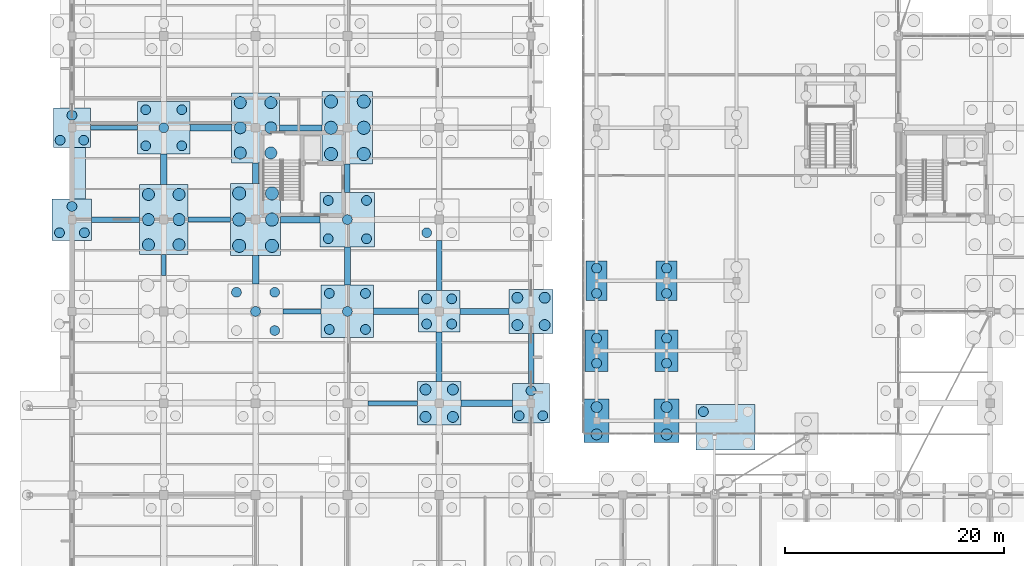
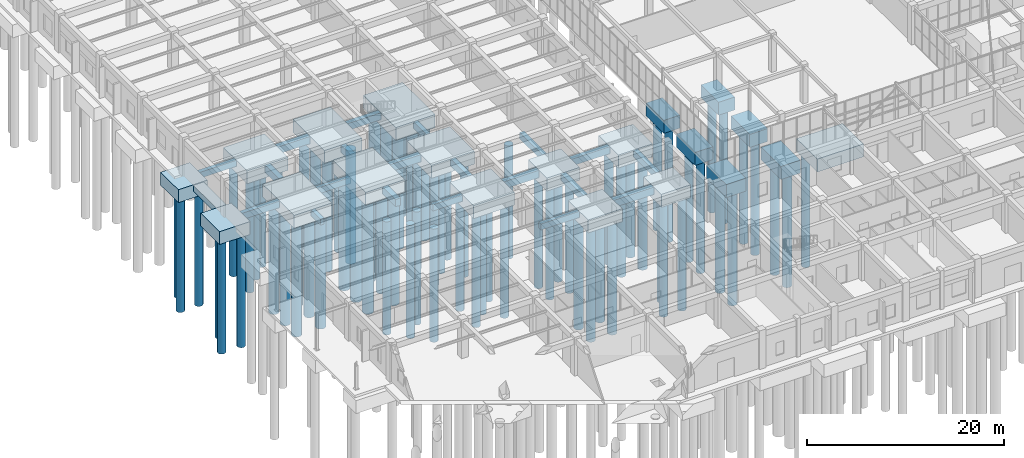
# One storey, part 3 of 192: 78 piles, 41 footings.
"""IFC4 building model written with IfcOpenShell, lengths in metres."""

from ifc_helpers import new_model, si_unit, direction, frame, origin, origin_2d, place, context, subcontext, project, spatial, rectangle, circle, extrude, material, layer, layer_set, material_profile, profile_set, type_object, element, save


model = new_model("IFC4")

# Units and contexts
model_context = context("Model", 3, precision=1e-05, world=origin(), true_north=direction((0.0, 1.0)))
body_context = subcontext(model_context, "Body", "Model", "MODEL_VIEW")
ifc_project = project(units=[si_unit("LENGTHUNIT", "METRE"), si_unit("AREAUNIT", "SQUARE_METRE"), si_unit("VOLUMEUNIT", "CUBIC_METRE"), si_unit("PLANEANGLEUNIT", "RADIAN"), si_unit("MASSUNIT", "GRAM", prefix="KILO")], contexts=[model_context])

# Site, building, storey
site_placement = place(None, origin())
site = spatial("IfcSite", under=ifc_project, at=site_placement, CompositionType="ELEMENT")
building_placement = place(site_placement, origin())
building = spatial("IfcBuilding", under=site, at=building_placement, Name="Trelvath General Hospital", CompositionType="ELEMENT")
storey_placement = place(building_placement, origin())
storey = spatial("IfcBuildingStorey", under=building, at=storey_placement, Name="L00", CompositionType="ELEMENT", Elevation=0.0)

# Piles
ifc_material_1 = material(Name="Concrete C35/45", Category="concrete")
ifc_material_profile_1 = material_profile(ifc_material_1, circle(Radius=0.5, at=origin_2d()), Name="PILE1000")
ifc_profile_set_1 = profile_set([ifc_material_profile_1], Name="Concrete C35/45")
pile_type_1 = type_object("IfcPileType", Name="BoredPile D1000", PredefinedType="BORED", material=ifc_profile_set_1)
for number, where, z_axis, x_axis, name in (
    (1, (32.35009765625, 32.35009765625, -1.800048828125), (0.0, 0.0, -1.0), (1.0, 0.0, 0.0), "Bored Pile P-0256"),
    (2, (34.85009765625, 32.35009765625, -1.800048828125), (0.0, 0.0, -1.0), (1.0, 0.0, 0.0), "Bored Pile P-0257"),
    (3, (32.35009765625, 34.85009765625, -1.800048828125), (0.0, 0.0, -1.0), (1.0, 0.0, 0.0), "Bored Pile P-0258"),
    (4, (34.85009765625, 34.85009765625, -1.800048828125), (0.0, 0.0, -1.0), (1.0, 0.0, 0.0), "Bored Pile P-0259"),
    (5, (40.75, 40.75, -1.800048828125), (0.0, 0.0, -1.0), (1.0, 0.0, 0.0), "Bored Pile P-0324"),
    (6, (43.25, 40.75, -1.800048828125), (0.0, 0.0, -1.0), (1.0, 0.0, 0.0), "Bored Pile P-0325"),
    (7, (40.75, 43.25, -1.800048828125), (0.0, 0.0, -1.0), (1.0, 0.0, 0.0), "Bored Pile P-0326"),
    (8, (43.25, 43.25, -1.800048828125), (0.0, 0.0, -1.0), (1.0, 0.0, 0.0), "Bored Pile P-0327"),
    (9, (48.0, 30.75, -1.800048828125), (0.0, 0.0, -1.0), (1.0, 0.0, 0.0), "Bored Pile P-0366"),
    (10, (48.0, 33.25, -1.800048828125), (0.0, 0.0, -1.0), (1.0, 0.0, 0.0), "Bored Pile P-0367"),
    (11, (54.39990234375, 30.75, -1.800048828125), (0.0, 0.0, -1.0), (1.0, 0.0, 0.0), "Bored Pile P-0414"),
    (12, (54.39990234375, 33.25, -1.800048828125), (0.0, 0.0, -1.0), (1.0, 0.0, 0.0), "Bored Pile P-0415"),
):
    element("IfcPile", number, at=place(storey_placement, frame(where, z_axis=z_axis, x_axis=x_axis)), inside=storey, type_object=pile_type_1, Name=name, PredefinedType="BORED", context=body_context, shape_type="SweptSolid", body=[
        extrude(circle(Radius=0.5, at=origin_2d()), origin(), (0.0, 0.0, 1.0), 14.0),
    ])
ifc_material_2 = material(Name="Concrete C35/45", Category="concrete")
ifc_material_profile_2 = material_profile(ifc_material_2, circle(Radius=0.550048828125, at=origin_2d()), Name="PILE1100")
ifc_profile_set_2 = profile_set([ifc_material_profile_2], Name="Concrete C35/45")
pile_type_2 = type_object("IfcPileType", Name="BoredPile D1100", PredefinedType="BORED", material=ifc_profile_set_2)
for number, where, z_axis, x_axis, name in (
    (13, (7.0, 48.10009765625, -1.800048828125), (0.0, 0.0, -1.0), (1.0, 0.0, 0.0), "Bored Pile P-0072"),
    (14, (9.800048828125, 48.10009765625, -1.800048828125), (0.0, 0.0, -1.0), (1.0, 0.0, 0.0), "Bored Pile P-0073"),
    (15, (7.0, 50.39990234375, -1.800048828125), (0.0, 0.0, -1.0), (1.0, 0.0, 0.0), "Bored Pile P-0074"),
    (16, (9.800048828125, 50.39990234375, -1.800048828125), (0.0, 0.0, -1.0), (1.0, 0.0, 0.0), "Bored Pile P-0075"),
    (17, (7.0, 52.699951171875, -1.800048828125), (0.0, 0.0, -1.0), (1.0, 0.0, 0.0), "Bored Pile P-0076"),
    (18, (9.800048828125, 52.699951171875, -1.800048828125), (0.0, 0.0, -1.0), (1.0, 0.0, 0.0), "Bored Pile P-0077"),
    (19, (15.39990234375, 56.5, -1.800048828125), (0.0, 0.0, -1.0), (1.0, 0.0, 0.0), "Bored Pile P-0141"),
    (20, (18.199951171875, 56.5, -1.800048828125), (0.0, 0.0, -1.0), (1.0, 0.0, 0.0), "Bored Pile P-0142"),
    (21, (15.39990234375, 58.800048828125, -1.800048828125), (0.0, 0.0, -1.0), (1.0, 0.0, 0.0), "Bored Pile P-0143"),
    (22, (18.199951171875, 58.800048828125, -1.800048828125), (0.0, 0.0, -1.0), (1.0, 0.0, 0.0), "Bored Pile P-0144"),
    (23, (15.39990234375, 61.10009765625, -1.800048828125), (0.0, 0.0, -1.0), (1.0, 0.0, 0.0), "Bored Pile P-0145"),
    (24, (18.199951171875, 61.10009765625, -1.800048828125), (0.0, 0.0, -1.0), (1.0, 0.0, 0.0), "Bored Pile P-0146"),
):
    element("IfcPile", number, at=place(storey_placement, frame(where, z_axis=z_axis, x_axis=x_axis)), inside=storey, type_object=pile_type_2, Name=name, PredefinedType="BORED", context=body_context, shape_type="SweptSolid", body=[
        extrude(circle(Radius=0.550048828125, at=origin_2d()), origin(), (0.0, 0.0, 1.0), 14.0),
    ])
ifc_material_3 = material(Name="Concrete C35/45", Category="concrete")
ifc_material_profile_3 = material_profile(ifc_material_3, circle(Radius=0.60009765625, at=origin_2d()), Name="PILE1200")
ifc_profile_set_3 = profile_set([ifc_material_profile_3], Name="Concrete C35/45")
pile_type_3 = type_object("IfcPileType", Name="BoredPile D1200", PredefinedType="BORED", material=ifc_profile_set_3)
for number, where, z_axis, x_axis, name in (
    (25, (15.300048828125, 48.0, -1.800048828125), (0.0, 0.0, -1.0), (1.0, 0.0, 0.0), "Bored Pile P-0135"),
    (26, (18.300048828125, 48.0, -1.800048828125), (0.0, 0.0, -1.0), (1.0, 0.0, 0.0), "Bored Pile P-0136"),
    (27, (15.300048828125, 50.39990234375, -1.800048828125), (0.0, 0.0, -1.0), (1.0, 0.0, 0.0), "Bored Pile P-0137"),
    (28, (18.300048828125, 50.39990234375, -1.800048828125), (0.0, 0.0, -1.0), (1.0, 0.0, 0.0), "Bored Pile P-0138"),
    (29, (15.300048828125, 52.800048828125, -1.800048828125), (0.0, 0.0, -1.0), (1.0, 0.0, 0.0), "Bored Pile P-0139"),
    (30, (18.300048828125, 52.800048828125, -1.800048828125), (0.0, 0.0, -1.0), (1.0, 0.0, 0.0), "Bored Pile P-0140"),
    (31, (23.699951171875, 56.39990234375, -1.800048828125), (0.0, 0.0, -1.0), (1.0, 0.0, 0.0), "Bored Pile P-0203"),
    (32, (26.699951171875, 56.39990234375, -1.800048828125), (0.0, 0.0, -1.0), (1.0, 0.0, 0.0), "Bored Pile P-0204"),
    (33, (23.699951171875, 58.800048828125, -1.800048828125), (0.0, 0.0, -1.0), (1.0, 0.0, 0.0), "Bored Pile P-0205"),
    (34, (26.699951171875, 58.800048828125, -1.800048828125), (0.0, 0.0, -1.0), (1.0, 0.0, 0.0), "Bored Pile P-0206"),
    (35, (23.699951171875, 61.199951171875, -1.800048828125), (0.0, 0.0, -1.0), (1.0, 0.0, 0.0), "Bored Pile P-0207"),
    (36, (26.699951171875, 61.199951171875, -1.800048828125), (0.0, 0.0, -1.0), (1.0, 0.0, 0.0), "Bored Pile P-0208"),
):
    element("IfcPile", number, at=place(storey_placement, frame(where, z_axis=z_axis, x_axis=x_axis)), inside=storey, type_object=pile_type_3, Name=name, PredefinedType="BORED", context=body_context, shape_type="SweptSolid", body=[
        extrude(circle(Radius=0.60009765625, at=origin_2d()), origin(), (0.0, 0.0, 1.0), 14.0),
    ])
ifc_material_4 = material(Name="Concrete C35/45", Category="concrete")
ifc_material_profile_4 = material_profile(ifc_material_4, circle(Radius=0.449951171875, at=origin_2d()), Name="PILE900")
ifc_profile_set_4 = profile_set([ifc_material_profile_4], Name="Concrete C35/45")
pile_type_4 = type_object("IfcPileType", Name="BoredPile D900", PredefinedType="BORED", material=ifc_profile_set_4)
for number, where, z_axis, x_axis, name in (
    (37, (-1.139892578125, 49.199951171875, -1.800048828125), (0.0, 0.0, -1.0), (1.0, 0.0, 0.0), "Bored Pile P-0018"),
    (38, (1.139892578125, 49.199951171875, -1.800048828125), (0.0, 0.0, -1.0), (1.0, 0.0, 0.0), "Bored Pile P-0019"),
    (39, (0.0, 51.60009765625, -1.800048828125), (0.0, 0.0, -1.0), (1.0, 0.0, 0.0), "Bored Pile P-0020"),
    (40, (-1.080078125, 57.659912109375, -1.800048828125), (0.0, 0.0, -1.0), (1.0, 0.0, 0.0), "Bored Pile P-0021"),
    (41, (1.080078125, 57.659912109375, -1.800048828125), (0.0, 0.0, -1.0), (1.0, 0.0, 0.0), "Bored Pile P-0022"),
    (42, (0.0, 59.93994140625, -1.800048828125), (0.0, 0.0, -1.0), (1.0, 0.0, 0.0), "Bored Pile P-0023"),
    (43, (6.75, 57.14990234375, -1.800048828125), (0.0, 0.0, -1.0), (1.0, 0.0, 0.0), "Bored Pile P-0078"),
    (44, (10.050048828125, 57.14990234375, -1.800048828125), (0.0, 0.0, -1.0), (1.0, 0.0, 0.0), "Bored Pile P-0079"),
    (45, (8.39990234375, 58.800048828125, -1.800048828125), (0.0, 0.0, -1.0), (1.0, 0.0, 0.0), "Bored Pile P-0080"),
    (46, (6.75, 60.449951171875, -1.800048828125), (0.0, 0.0, -1.0), (1.0, 0.0, 0.0), "Bored Pile P-0081"),
    (47, (10.050048828125, 60.449951171875, -1.800048828125), (0.0, 0.0, -1.0), (1.0, 0.0, 0.0), "Bored Pile P-0082"),
    (48, (18.550048828125, 40.25, -1.800048828125), (0.0, 0.0, -1.0), (1.0, 0.0, 0.0), "Bored Pile P-0131"),
    (49, (16.800048828125, 42.0, -1.800048828125), (0.0, 0.0, -1.0), (1.0, 0.0, 0.0), "Bored Pile P-0132"),
    (50, (15.050048828125, 43.75, -1.800048828125), (0.0, 0.0, -1.0), (1.0, 0.0, 0.0), "Bored Pile P-0133"),
    (51, (18.550048828125, 43.75, -1.800048828125), (0.0, 0.0, -1.0), (1.0, 0.0, 0.0), "Bored Pile P-0134"),
    (52, (23.550048828125, 40.35009765625, -1.800048828125), (0.0, 0.0, -1.0), (1.0, 0.0, 0.0), "Bored Pile P-0193"),
    (53, (26.85009765625, 40.35009765625, -1.800048828125), (0.0, 0.0, -1.0), (1.0, 0.0, 0.0), "Bored Pile P-0194"),
    (54, (25.199951171875, 42.0, -1.800048828125), (0.0, 0.0, -1.0), (1.0, 0.0, 0.0), "Bored Pile P-0195"),
    (55, (23.550048828125, 43.64990234375, -1.800048828125), (0.0, 0.0, -1.0), (1.0, 0.0, 0.0), "Bored Pile P-0196"),
    (56, (26.85009765625, 43.64990234375, -1.800048828125), (0.0, 0.0, -1.0), (1.0, 0.0, 0.0), "Bored Pile P-0197"),
    (57, (23.449951171875, 48.64990234375, -1.800048828125), (0.0, 0.0, -1.0), (1.0, 0.0, 0.0), "Bored Pile P-0198"),
    (58, (26.949951171875, 48.64990234375, -1.800048828125), (0.0, 0.0, -1.0), (1.0, 0.0, 0.0), "Bored Pile P-0199"),
    (59, (25.199951171875, 50.39990234375, -1.800048828125), (0.0, 0.0, -1.0), (1.0, 0.0, 0.0), "Bored Pile P-0200"),
    (60, (23.449951171875, 52.14990234375, -1.800048828125), (0.0, 0.0, -1.0), (1.0, 0.0, 0.0), "Bored Pile P-0201"),
    (61, (26.949951171875, 52.14990234375, -1.800048828125), (0.0, 0.0, -1.0), (1.0, 0.0, 0.0), "Bored Pile P-0202"),
    (62, (32.449951171875, 40.85009765625, -1.800048828125), (0.0, 0.0, -1.0), (1.0, 0.0, 0.0), "Bored Pile P-0260"),
    (63, (34.75, 40.85009765625, -1.800048828125), (0.0, 0.0, -1.0), (1.0, 0.0, 0.0), "Bored Pile P-0261"),
    (64, (32.449951171875, 43.14990234375, -1.800048828125), (0.0, 0.0, -1.0), (1.0, 0.0, 0.0), "Bored Pile P-0262"),
    (65, (34.75, 43.14990234375, -1.800048828125), (0.0, 0.0, -1.0), (1.0, 0.0, 0.0), "Bored Pile P-0263"),
    (66, (32.4599609375, 49.199951171875, -1.800048828125), (0.0, 0.0, -1.0), (1.0, 0.0, 0.0), "Bored Pile P-0264"),
    (67, (40.919921875, 32.4599609375, -1.800048828125), (0.0, 0.0, -1.0), (1.0, 0.0, 0.0), "Bored Pile P-0321"),
    (68, (43.080078125, 32.4599609375, -1.800048828125), (0.0, 0.0, -1.0), (1.0, 0.0, 0.0), "Bored Pile P-0322"),
    (69, (42.0, 34.739990234375, -1.800048828125), (0.0, 0.0, -1.0), (1.0, 0.0, 0.0), "Bored Pile P-0323"),
    (70, (48.0, 37.25, -1.800048828125), (0.0, 0.0, -1.0), (1.0, 0.0, 0.0), "Bored Pile P-0368"),
    (71, (48.0, 39.550048828125, -1.800048828125), (0.0, 0.0, -1.0), (1.0, 0.0, 0.0), "Bored Pile P-0369"),
    (72, (48.0, 43.64990234375, -1.800048828125), (0.0, 0.0, -1.0), (1.0, 0.0, 0.0), "Bored Pile P-0370"),
    (73, (48.0, 45.949951171875, -1.800048828125), (0.0, 0.0, -1.0), (1.0, 0.0, 0.0), "Bored Pile P-0371"),
    (74, (54.39990234375, 37.25, -1.800048828125), (0.0, 0.0, -1.0), (1.0, 0.0, 0.0), "Bored Pile P-0416"),
    (75, (54.39990234375, 39.550048828125, -1.800048828125), (0.0, 0.0, -1.0), (1.0, 0.0, 0.0), "Bored Pile P-0417"),
    (76, (54.39990234375, 43.64990234375, -1.800048828125), (0.0, 0.0, -1.0), (1.0, 0.0, 0.0), "Bored Pile P-0418"),
    (77, (54.39990234375, 45.949951171875, -1.800048828125), (0.0, 0.0, -1.0), (1.0, 0.0, 0.0), "Bored Pile P-0419"),
    (78, (57.77001953125, 32.830078125, -1.800048828125), (0.0, 0.0, -1.0), (1.0, 0.0, 0.0), "Bored Pile P-0445"),
):
    element("IfcPile", number, at=place(storey_placement, frame(where, z_axis=z_axis, x_axis=x_axis)), inside=storey, type_object=pile_type_4, Name=name, PredefinedType="BORED", context=body_context, shape_type="SweptSolid", body=[
        extrude(circle(Radius=0.449951171875, at=origin_2d()), origin(), (0.0, 0.0, 1.0), 14.0),
    ])

# Footings
ifc_material_5 = material(Name="Concrete C35/45", Category="concrete")
ifc_layer_1 = layer(ifc_material_5, 1.60009765625)
ifc_layer_set_1 = layer_set([ifc_layer_1], Name="Concrete C35/45")
footing_type_1 = type_object("IfcFootingType", Name="PileCap 2P 190x360", PredefinedType="PILE_CAP", material=ifc_layer_set_1)
for number, where, z_axis, x_axis, name in (
    (79, (48.0, 44.800048828125, -1.900146484375), (0.0, 0.0, 1.0), (1.0, 0.0, 0.0), "Pile Cap PC-093"),
    (80, (54.39990234375, 44.800048828125, -1.900146484375), (0.0, 0.0, 1.0), (1.0, 0.0, 0.0), "Pile Cap PC-108"),
):
    element("IfcFooting", number, at=place(storey_placement, frame(where, z_axis=z_axis, x_axis=x_axis)), inside=storey, type_object=footing_type_1, Name=name, PredefinedType="PILE_CAP", context=body_context, shape_type="SweptSolid", body=[
        extrude(rectangle(XDim=1.89990234375, YDim=3.60009765625, at=origin_2d()), origin(), (0.0, 0.0, 1.0), 1.60009765625),
    ])
ifc_material_6 = material(Name="Concrete C35/45", Category="concrete")
ifc_layer_2 = layer(ifc_material_6, 1.60009765625)
ifc_layer_set_2 = layer_set([ifc_layer_2], Name="Concrete C35/45")
footing_type_2 = type_object("IfcFootingType", Name="PileCap 2P 210x380", PredefinedType="PILE_CAP", material=ifc_layer_set_2)
for number, where, z_axis, x_axis, name in (
    (81, (48.0, 38.39990234375, -1.900146484375), (0.0, 0.0, 1.0), (1.0, 0.0, 0.0), "Pile Cap PC-092"),
    (82, (54.39990234375, 38.39990234375, -1.900146484375), (0.0, 0.0, 1.0), (1.0, 0.0, 0.0), "Pile Cap PC-107"),
):
    element("IfcFooting", number, at=place(storey_placement, frame(where, z_axis=z_axis, x_axis=x_axis)), inside=storey, type_object=footing_type_2, Name=name, PredefinedType="PILE_CAP", context=body_context, shape_type="SweptSolid", body=[
        extrude(rectangle(XDim=2.10009765625, YDim=3.800048828125, at=origin_2d()), origin(), (0.0, 0.0, 1.0), 1.60009765625),
    ])
ifc_material_7 = material(Name="Concrete C35/45", Category="concrete")
ifc_layer_3 = layer(ifc_material_7, 1.60009765625)
ifc_layer_set_3 = layer_set([ifc_layer_3], Name="Concrete C35/45")
footing_type_3 = type_object("IfcFootingType", Name="PileCap 2P 230x400", PredefinedType="PILE_CAP", material=ifc_layer_set_3)
for number, where, z_axis, x_axis, name in (
    (83, (48.0, 32.0, -1.900146484375), (0.0, 0.0, 1.0), (1.0, 0.0, 0.0), "Pile Cap PC-091"),
    (84, (54.39990234375, 32.0, -1.900146484375), (0.0, 0.0, 1.0), (1.0, 0.0, 0.0), "Pile Cap PC-106"),
):
    element("IfcFooting", number, at=place(storey_placement, frame(where, z_axis=z_axis, x_axis=x_axis)), inside=storey, type_object=footing_type_3, Name=name, PredefinedType="PILE_CAP", context=body_context, shape_type="SweptSolid", body=[
        extrude(rectangle(XDim=2.300048828125, YDim=4.0, at=origin_2d()), origin(), (0.0, 0.0, 1.0), 1.60009765625),
    ])
ifc_material_8 = material(Name="Concrete C35/45", Category="concrete")
ifc_layer_4 = layer(ifc_material_8, 1.60009765625)
ifc_layer_set_4 = layer_set([ifc_layer_4], Name="Concrete C35/45")
footing_type_4 = type_object("IfcFootingType", Name="PileCap 3P 340x360", PredefinedType="PILE_CAP", material=ifc_layer_set_4)
for number, where, z_axis, x_axis, name in (
    (85, (0.0, 58.800048828125, -1.900146484375), (0.0, 0.0, 1.0), (1.0, 0.0, 0.0), "Pile Cap PC-008"),
    (86, (42.0, 33.60009765625, -1.900146484375), (0.0, 0.0, 1.0), (1.0, 0.0, 0.0), "Pile Cap PC-080"),
):
    element("IfcFooting", number, at=place(storey_placement, frame(where, z_axis=z_axis, x_axis=x_axis)), inside=storey, type_object=footing_type_4, Name=name, PredefinedType="PILE_CAP", context=body_context, shape_type="SweptSolid", body=[
        extrude(rectangle(XDim=3.39990234375, YDim=3.60009765625, at=origin_2d()), origin(), (0.0, 0.0, 1.0), 1.60009765625),
    ])
ifc_material_9 = material(Name="Concrete C35/45", Category="concrete")
ifc_layer_5 = layer(ifc_material_9, 1.60009765625)
ifc_layer_set_5 = layer_set([ifc_layer_5], Name="Concrete C35/45")
footing_type_5 = type_object("IfcFootingType", Name="PileCap 3P 360x380", PredefinedType="PILE_CAP", material=ifc_layer_set_5)
footing_1_placement = place(storey_placement, frame((0.0, 50.39990234375, -1.900146484375), z_axis=(0.0, 0.0, 1.0), x_axis=(1.0, 0.0, 0.0)))
element("IfcFooting", 87, at=footing_1_placement, inside=storey, type_object=footing_type_5, Name="Pile Cap PC-007", PredefinedType="PILE_CAP", context=body_context, shape_type="SweptSolid", body=[
    extrude(rectangle(XDim=3.60009765625, YDim=3.800048828125, at=origin_2d()), origin(), (0.0, 0.0, 1.0), 1.60009765625),
])
ifc_material_10 = material(Name="Concrete C35/45", Category="concrete")
ifc_layer_6 = layer(ifc_material_10, 1.60009765625)
ifc_layer_set_6 = layer_set([ifc_layer_6], Name="Concrete C35/45")
footing_type_6 = type_object("IfcFootingType", Name="PileCap 4P 380x380", PredefinedType="PILE_CAP", material=ifc_layer_set_6)
footing_2_placement = place(storey_placement, frame((33.60009765625, 42.0, -1.900146484375), z_axis=(0.0, 0.0, 1.0), x_axis=(1.0, 0.0, 0.0)))
element("IfcFooting", 88, at=footing_2_placement, inside=storey, type_object=footing_type_6, Name="Pile Cap PC-066", PredefinedType="PILE_CAP", context=body_context, shape_type="SweptSolid", body=[
    extrude(rectangle(XDim=3.800048828125, YDim=3.800048828125, at=origin_2d()), origin(), (0.0, 0.0, 1.0), 1.60009765625),
])
ifc_material_11 = material(Name="Concrete C35/45", Category="concrete")
ifc_layer_7 = layer(ifc_material_11, 1.60009765625)
ifc_layer_set_7 = layer_set([ifc_layer_7], Name="Concrete C35/45")
footing_type_7 = type_object("IfcFootingType", Name="PileCap 4P 400x400", PredefinedType="PILE_CAP", material=ifc_layer_set_7)
for number, where, z_axis, x_axis, name in (
    (89, (33.60009765625, 33.60009765625, -1.900146484375), (0.0, 0.0, 1.0), (1.0, 0.0, 0.0), "Pile Cap PC-065"),
    (90, (42.0, 42.0, -1.900146484375), (0.0, 0.0, 1.0), (1.0, 0.0, 0.0), "Pile Cap PC-081"),
):
    element("IfcFooting", number, at=place(storey_placement, frame(where, z_axis=z_axis, x_axis=x_axis)), inside=storey, type_object=footing_type_7, Name=name, PredefinedType="PILE_CAP", context=body_context, shape_type="SweptSolid", body=[
        extrude(rectangle(XDim=4.0, YDim=4.0, at=origin_2d()), origin(), (0.0, 0.0, 1.0), 1.60009765625),
    ])
ifc_material_12 = material(Name="Concrete C35/45", Category="concrete")
ifc_layer_8 = layer(ifc_material_12, 1.60009765625)
ifc_layer_set_8 = layer_set([ifc_layer_8], Name="Concrete C35/45")
footing_type_8 = type_object("IfcFootingType", Name="PileCap 5P 480x480", PredefinedType="PILE_CAP", material=ifc_layer_set_8)
for number, where, z_axis, x_axis, name in (
    (91, (8.39990234375, 58.800048828125, -1.900146484375), (0.0, 0.0, 1.0), (1.0, 0.0, 0.0), "Pile Cap PC-023"),
    (92, (25.199951171875, 42.0, -1.900146484375), (0.0, 0.0, 1.0), (1.0, 0.0, 0.0), "Pile Cap PC-051"),
):
    element("IfcFooting", number, at=place(storey_placement, frame(where, z_axis=z_axis, x_axis=x_axis)), inside=storey, type_object=footing_type_8, Name=name, PredefinedType="PILE_CAP", context=body_context, shape_type="SweptSolid", body=[
        extrude(rectangle(XDim=4.800048828125, YDim=4.800048828125, at=origin_2d()), origin(), (0.0, 0.0, 1.0), 1.60009765625),
    ])
ifc_material_13 = material(Name="Concrete C35/45", Category="concrete")
ifc_layer_9 = layer(ifc_material_13, 1.60009765625)
ifc_layer_set_9 = layer_set([ifc_layer_9], Name="Concrete C35/45")
footing_type_9 = type_object("IfcFootingType", Name="PileCap 5P 500x500", PredefinedType="PILE_CAP", material=ifc_layer_set_9)
footing_3_placement = place(storey_placement, frame((25.199951171875, 50.39990234375, -1.900146484375), z_axis=(0.0, 0.0, 1.0), x_axis=(1.0, 0.0, 0.0)))
element("IfcFooting", 93, at=footing_3_placement, inside=storey, type_object=footing_type_9, Name="Pile Cap PC-052", PredefinedType="PILE_CAP", context=body_context, shape_type="SweptSolid", body=[
    extrude(rectangle(XDim=5.0, YDim=5.0, at=origin_2d()), origin(), (0.0, 0.0, 1.0), 1.60009765625),
])
ifc_material_14 = material(Name="Concrete C35/45", Category="concrete")
ifc_layer_10 = layer(ifc_material_14, 1.60009765625)
ifc_layer_set_10 = layer_set([ifc_layer_10], Name="Concrete C35/45")
footing_type_10 = type_object("IfcFootingType", Name="PileCap 6P 440x640", PredefinedType="PILE_CAP", material=ifc_layer_set_10)
for number, where, z_axis, x_axis, name in (
    (94, (8.39990234375, 50.39990234375, -1.900146484375), (0.0, 0.0, 1.0), (1.0, 0.0, 0.0), "Pile Cap PC-022"),
    (95, (16.800048828125, 58.800048828125, -1.900146484375), (0.0, 0.0, 1.0), (1.0, 0.0, 0.0), "Pile Cap PC-038"),
):
    element("IfcFooting", number, at=place(storey_placement, frame(where, z_axis=z_axis, x_axis=x_axis)), inside=storey, type_object=footing_type_10, Name=name, PredefinedType="PILE_CAP", context=body_context, shape_type="SweptSolid", body=[
        extrude(rectangle(XDim=4.39990234375, YDim=6.39990234375, at=origin_2d()), origin(), (0.0, 0.0, 1.0), 1.60009765625),
    ])
ifc_material_15 = material(Name="Concrete C35/45", Category="concrete")
ifc_layer_11 = layer(ifc_material_15, 1.60009765625)
ifc_layer_set_11 = layer_set([ifc_layer_11], Name="Concrete C35/45")
footing_type_11 = type_object("IfcFootingType", Name="PileCap 6P 460x660", PredefinedType="PILE_CAP", material=ifc_layer_set_11)
for number, where, z_axis, x_axis, name in (
    (96, (16.800048828125, 50.39990234375, -1.900146484375), (0.0, 0.0, 1.0), (1.0, 0.0, 0.0), "Pile Cap PC-037"),
    (97, (25.199951171875, 58.800048828125, -1.900146484375), (0.0, 0.0, 1.0), (1.0, 0.0, 0.0), "Pile Cap PC-053"),
):
    element("IfcFooting", number, at=place(storey_placement, frame(where, z_axis=z_axis, x_axis=x_axis)), inside=storey, type_object=footing_type_11, Name=name, PredefinedType="PILE_CAP", context=body_context, shape_type="SweptSolid", body=[
        extrude(rectangle(XDim=4.60009765625, YDim=6.60009765625, at=origin_2d()), origin(), (0.0, 0.0, 1.0), 1.60009765625),
    ])
ifc_material_16 = material(Name="Concrete C35/45", Category="concrete")
ifc_layer_12 = layer(ifc_material_16, 1.60009765625)
ifc_layer_set_12 = layer_set([ifc_layer_12], Name="Concrete C35/45")
footing_type_12 = type_object("IfcFootingType", Name="PileCap Combined 540x420", PredefinedType="PILE_CAP", material=ifc_layer_set_12)
footing_4_placement = place(storey_placement, frame((59.800048828125, 31.39990234375, -1.900146484375), z_axis=(0.0, 0.0, 1.0), x_axis=(1.0, 0.0, 0.0)))
element("IfcFooting", 98, at=footing_4_placement, inside=storey, type_object=footing_type_12, Name="Pile Cap PC-117", PredefinedType="PILE_CAP", context=body_context, shape_type="SweptSolid", body=[
    extrude(rectangle(XDim=5.39990234375, YDim=4.199951171875, at=origin_2d()), origin(), (0.0, 0.0, 1.0), 1.60009765625),
])
ifc_material_17 = material(Name="Concrete C35/45", Category="concrete")
ifc_layer_13 = layer(ifc_material_17, 0.699951171875)
ifc_layer_set_13 = layer_set([ifc_layer_13], Name="Concrete C35/45")
footing_type_13 = type_object("IfcFootingType", Name="StripFooting 1200x700", PredefinedType="STRIP_FOOTING", material=ifc_layer_set_13)
footing_5_placement = place(storey_placement, frame((0.64990234375, 54.64990234375, -1.06005859375), z_axis=(0.0, 0.0, 1.0), x_axis=(1.0, 0.0, 0.0)))
element("IfcFooting", 99, at=footing_5_placement, inside=storey, type_object=footing_type_13, Name="Radiation Wall Strip Footing SF-03", PredefinedType="STRIP_FOOTING", context=body_context, shape_type="SweptSolid", body=[
    extrude(rectangle(XDim=1.199951171875, YDim=4.699951171875, at=origin_2d()), origin(), (0.0, 0.0, 1.0), 0.699951171875),
])
ifc_material_18 = material(Name="Concrete C35/45", Category="concrete")
ifc_layer_14 = layer(ifc_material_18, 0.75)
ifc_layer_set_14 = layer_set([ifc_layer_14], Name="Concrete C35/45")
footing_type_14 = type_object("IfcFootingType", Name="TieBeam 450x750", PredefinedType="FOOTING_BEAM", material=ifc_layer_set_14)
footing_6_placement = place(storey_placement, frame((3.85009765625, 58.800048828125, -1.050048828125), z_axis=(0.0, 0.0, 1.0), x_axis=(1.0, 0.0, 0.0)))
element("IfcFooting", 100, at=footing_6_placement, inside=storey, type_object=footing_type_14, Name="Foundation Tie Beam TB-005", PredefinedType="FOOTING_BEAM", context=body_context, shape_type="SweptSolid", body=[
    extrude(rectangle(XDim=4.300048828125, YDim=0.449951171875, at=origin_2d()), origin(), (0.0, 0.0, 1.0), 0.75),
])
footing_7_placement = place(storey_placement, frame((8.39990234375, 46.25, -1.050048828125), z_axis=(0.0, 0.0, 1.0), x_axis=(1.0, 0.0, 0.0)))
element("IfcFooting", 101, at=footing_7_placement, inside=storey, type_object=footing_type_14, Name="Foundation Tie Beam TB-025", PredefinedType="FOOTING_BEAM", context=body_context, shape_type="SweptSolid", body=[
    extrude(rectangle(XDim=0.449951171875, YDim=1.89990234375, at=origin_2d()), origin(), (0.0, 0.0, 1.0), 0.75),
])
footing_8_placement = place(storey_placement, frame((12.550048828125, 50.39990234375, -1.050048828125), z_axis=(0.0, 0.0, 1.0), x_axis=(1.0, 0.0, 0.0)))
element("IfcFooting", 102, at=footing_8_placement, inside=storey, type_object=footing_type_14, Name="Foundation Tie Beam TB-026", PredefinedType="FOOTING_BEAM", context=body_context, shape_type="SweptSolid", body=[
    extrude(rectangle(XDim=3.89990234375, YDim=0.449951171875, at=origin_2d()), origin(), (0.0, 0.0, 1.0), 0.75),
])
footing_9_placement = place(storey_placement, frame((21.050048828125, 42.0, -1.050048828125), z_axis=(0.0, 0.0, 1.0), x_axis=(1.0, 0.0, 0.0)))
element("IfcFooting", 103, at=footing_9_placement, inside=storey, type_object=footing_type_14, Name="Foundation Tie Beam TB-050", PredefinedType="FOOTING_BEAM", context=body_context, shape_type="SweptSolid", body=[
    extrude(rectangle(XDim=3.5, YDim=0.449951171875, at=origin_2d()), origin(), (0.0, 0.0, 1.0), 0.75),
])
footing_10_placement = place(storey_placement, frame((29.35009765625, 33.60009765625, -1.050048828125), z_axis=(0.0, 0.0, 1.0), x_axis=(1.0, 0.0, 0.0)))
element("IfcFooting", 104, at=footing_10_placement, inside=storey, type_object=footing_type_14, Name="Foundation Tie Beam TB-074", PredefinedType="FOOTING_BEAM", context=body_context, shape_type="SweptSolid", body=[
    extrude(rectangle(XDim=4.5, YDim=0.449951171875, at=origin_2d()), origin(), (0.0, 0.0, 1.0), 0.75),
])
ifc_material_19 = material(Name="Concrete C35/45", Category="concrete")
ifc_layer_15 = layer(ifc_material_19, 0.800048828125)
ifc_layer_set_15 = layer_set([ifc_layer_15], Name="Concrete C35/45")
footing_type_15 = type_object("IfcFootingType", Name="TieBeam 500x800", PredefinedType="FOOTING_BEAM", material=ifc_layer_set_15)
footing_11_placement = place(storey_placement, frame((4.0, 50.39990234375, -1.10009765625), z_axis=(0.0, 0.0, 1.0), x_axis=(1.0, 0.0, 0.0)))
element("IfcFooting", 105, at=footing_11_placement, inside=storey, type_object=footing_type_15, Name="Foundation Tie Beam TB-004", PredefinedType="FOOTING_BEAM", context=body_context, shape_type="SweptSolid", body=[
    extrude(rectangle(XDim=4.39990234375, YDim=0.5, at=origin_2d()), origin(), (0.0, 0.0, 1.0), 0.800048828125),
])
footing_12_placement = place(storey_placement, frame((25.199951171875, 54.199951171875, -1.10009765625), z_axis=(0.0, 0.0, 1.0), x_axis=(1.0, 0.0, 0.0)))
element("IfcFooting", 106, at=footing_12_placement, inside=storey, type_object=footing_type_15, Name="Foundation Tie Beam TB-079", PredefinedType="FOOTING_BEAM", context=body_context, shape_type="SweptSolid", body=[
    extrude(rectangle(XDim=0.5, YDim=2.60009765625, at=origin_2d()), origin(), (0.0, 0.0, 1.0), 0.800048828125),
])
for number, where, z_axis, x_axis, name in (
    (107, (33.60009765625, 46.199951171875, -1.10009765625), (0.0, 0.0, 1.0), (1.0, 0.0, 0.0), "Foundation Tie Beam TB-103"),
    (108, (42.0, 37.699951171875, -1.10009765625), (0.0, 0.0, 1.0), (1.0, 0.0, 0.0), "Foundation Tie Beam TB-126"),
):
    element("IfcFooting", number, at=place(storey_placement, frame(where, z_axis=z_axis, x_axis=x_axis)), inside=storey, type_object=footing_type_15, Name=name, PredefinedType="FOOTING_BEAM", context=body_context, shape_type="SweptSolid", body=[
        extrude(rectangle(XDim=0.5, YDim=4.60009765625, at=origin_2d()), origin(), (0.0, 0.0, 1.0), 0.800048828125),
    ])
ifc_material_20 = material(Name="Concrete C35/45", Category="concrete")
ifc_layer_16 = layer(ifc_material_20, 0.85009765625)
ifc_layer_set_16 = layer_set([ifc_layer_16], Name="Concrete C35/45")
footing_type_16 = type_object("IfcFootingType", Name="TieBeam 550x850", PredefinedType="FOOTING_BEAM", material=ifc_layer_set_16)
footing_13_placement = place(storey_placement, frame((16.800048828125, 54.64990234375, -1.150146484375), z_axis=(0.0, 0.0, 1.0), x_axis=(1.0, 0.0, 0.0)))
element("IfcFooting", 109, at=footing_13_placement, inside=storey, type_object=footing_type_16, Name="Foundation Tie Beam TB-053", PredefinedType="FOOTING_BEAM", context=body_context, shape_type="SweptSolid", body=[
    extrude(rectangle(XDim=0.550048828125, YDim=1.89990234375, at=origin_2d()), origin(), (0.0, 0.0, 1.0), 0.85009765625),
])
footing_14_placement = place(storey_placement, frame((20.949951171875, 58.800048828125, -1.150146484375), z_axis=(0.0, 0.0, 1.0), x_axis=(1.0, 0.0, 0.0)))
element("IfcFooting", 110, at=footing_14_placement, inside=storey, type_object=footing_type_16, Name="Foundation Tie Beam TB-054", PredefinedType="FOOTING_BEAM", context=body_context, shape_type="SweptSolid", body=[
    extrude(rectangle(XDim=3.89990234375, YDim=0.550048828125, at=origin_2d()), origin(), (0.0, 0.0, 1.0), 0.85009765625),
])
footing_15_placement = place(storey_placement, frame((25.199951171875, 46.14990234375, -1.150146484375), z_axis=(0.0, 0.0, 1.0), x_axis=(1.0, 0.0, 0.0)))
element("IfcFooting", 111, at=footing_15_placement, inside=storey, type_object=footing_type_16, Name="Foundation Tie Beam TB-077", PredefinedType="FOOTING_BEAM", context=body_context, shape_type="SweptSolid", body=[
    extrude(rectangle(XDim=0.550048828125, YDim=3.5, at=origin_2d()), origin(), (0.0, 0.0, 1.0), 0.85009765625),
])
footing_16_placement = place(storey_placement, frame((33.60009765625, 37.85009765625, -1.150146484375), z_axis=(0.0, 0.0, 1.0), x_axis=(1.0, 0.0, 0.0)))
element("IfcFooting", 112, at=footing_16_placement, inside=storey, type_object=footing_type_16, Name="Foundation Tie Beam TB-101", PredefinedType="FOOTING_BEAM", context=body_context, shape_type="SweptSolid", body=[
    extrude(rectangle(XDim=0.550048828125, YDim=4.5, at=origin_2d()), origin(), (0.0, 0.0, 1.0), 0.85009765625),
])
footing_17_placement = place(storey_placement, frame((37.75, 42.0, -1.150146484375), z_axis=(0.0, 0.0, 1.0), x_axis=(1.0, 0.0, 0.0)))
element("IfcFooting", 113, at=footing_17_placement, inside=storey, type_object=footing_type_16, Name="Foundation Tie Beam TB-102", PredefinedType="FOOTING_BEAM", context=body_context, shape_type="SweptSolid", body=[
    extrude(rectangle(XDim=4.5, YDim=0.550048828125, at=origin_2d()), origin(), (0.0, 0.0, 1.0), 0.85009765625),
])
ifc_material_21 = material(Name="Concrete C35/45", Category="concrete")
ifc_layer_17 = layer(ifc_material_21, 0.89990234375)
ifc_layer_set_17 = layer_set([ifc_layer_17], Name="Concrete C35/45")
footing_type_17 = type_object("IfcFootingType", Name="TieBeam 600x900", PredefinedType="FOOTING_BEAM", material=ifc_layer_set_17)
footing_18_placement = place(storey_placement, frame((8.39990234375, 55.0, -1.199951171875), z_axis=(0.0, 0.0, 1.0), x_axis=(1.0, 0.0, 0.0)))
element("IfcFooting", 114, at=footing_18_placement, inside=storey, type_object=footing_type_17, Name="Foundation Tie Beam TB-027", PredefinedType="FOOTING_BEAM", context=body_context, shape_type="SweptSolid", body=[
    extrude(rectangle(XDim=0.60009765625, YDim=2.800048828125, at=origin_2d()), origin(), (0.0, 0.0, 1.0), 0.89990234375),
])
footing_19_placement = place(storey_placement, frame((12.699951171875, 58.800048828125, -1.199951171875), z_axis=(0.0, 0.0, 1.0), x_axis=(1.0, 0.0, 0.0)))
element("IfcFooting", 115, at=footing_19_placement, inside=storey, type_object=footing_type_17, Name="Foundation Tie Beam TB-028", PredefinedType="FOOTING_BEAM", context=body_context, shape_type="SweptSolid", body=[
    extrude(rectangle(XDim=3.800048828125, YDim=0.60009765625, at=origin_2d()), origin(), (0.0, 0.0, 1.0), 0.89990234375),
])
footing_20_placement = place(storey_placement, frame((16.800048828125, 45.800048828125, -1.199951171875), z_axis=(0.0, 0.0, 1.0), x_axis=(1.0, 0.0, 0.0)))
element("IfcFooting", 116, at=footing_20_placement, inside=storey, type_object=footing_type_17, Name="Foundation Tie Beam TB-051", PredefinedType="FOOTING_BEAM", context=body_context, shape_type="SweptSolid", body=[
    extrude(rectangle(XDim=0.60009765625, YDim=2.60009765625, at=origin_2d()), origin(), (0.0, 0.0, 1.0), 0.89990234375),
])
footing_21_placement = place(storey_placement, frame((20.89990234375, 50.39990234375, -1.199951171875), z_axis=(0.0, 0.0, 1.0), x_axis=(1.0, 0.0, 0.0)))
element("IfcFooting", 117, at=footing_21_placement, inside=storey, type_object=footing_type_17, Name="Foundation Tie Beam TB-052", PredefinedType="FOOTING_BEAM", context=body_context, shape_type="SweptSolid", body=[
    extrude(rectangle(XDim=3.60009765625, YDim=0.60009765625, at=origin_2d()), origin(), (0.0, 0.0, 1.0), 0.89990234375),
])
footing_22_placement = place(storey_placement, frame((29.64990234375, 42.0, -1.199951171875), z_axis=(0.0, 0.0, 1.0), x_axis=(1.0, 0.0, 0.0)))
element("IfcFooting", 118, at=footing_22_placement, inside=storey, type_object=footing_type_17, Name="Foundation Tie Beam TB-076", PredefinedType="FOOTING_BEAM", context=body_context, shape_type="SweptSolid", body=[
    extrude(rectangle(XDim=4.10009765625, YDim=0.60009765625, at=origin_2d()), origin(), (0.0, 0.0, 1.0), 0.89990234375),
])
footing_23_placement = place(storey_placement, frame((37.949951171875, 33.60009765625, -1.199951171875), z_axis=(0.0, 0.0, 1.0), x_axis=(1.0, 0.0, 0.0)))
element("IfcFooting", 119, at=footing_23_placement, inside=storey, type_object=footing_type_17, Name="Foundation Tie Beam TB-100", PredefinedType="FOOTING_BEAM", context=body_context, shape_type="SweptSolid", body=[
    extrude(rectangle(XDim=4.699951171875, YDim=0.60009765625, at=origin_2d()), origin(), (0.0, 0.0, 1.0), 0.89990234375),
])

save(model, "model.ifc")
